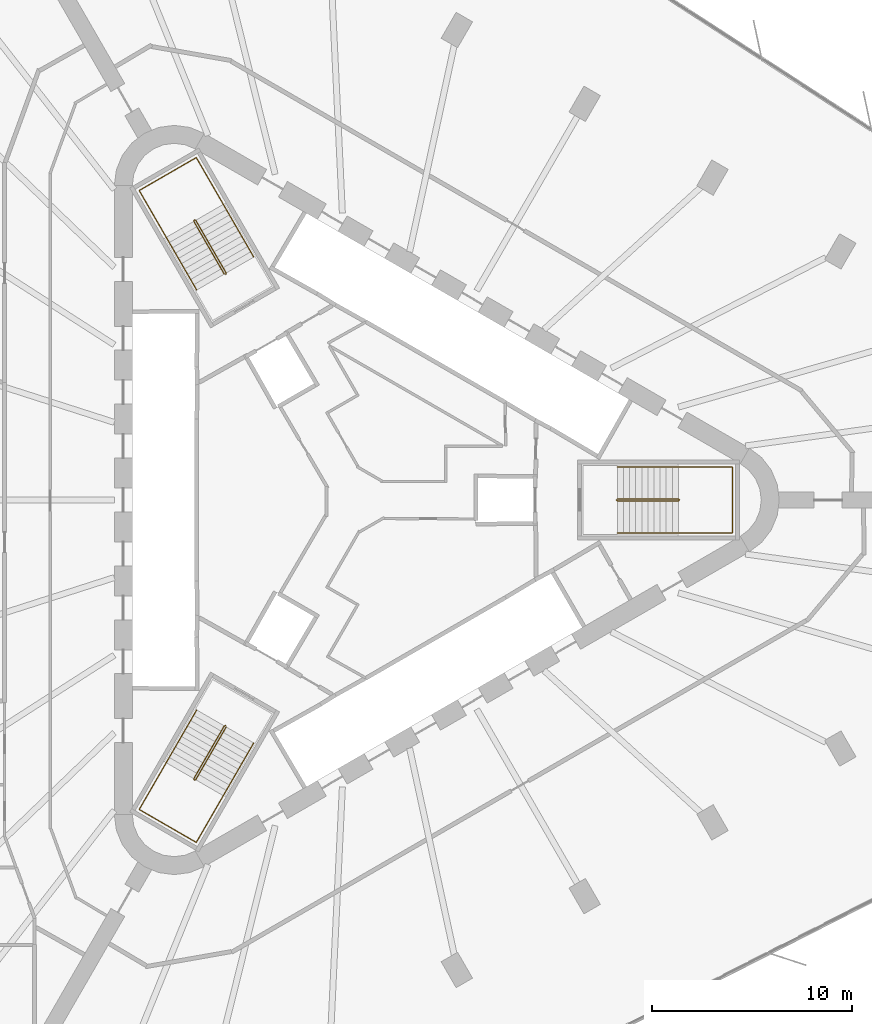
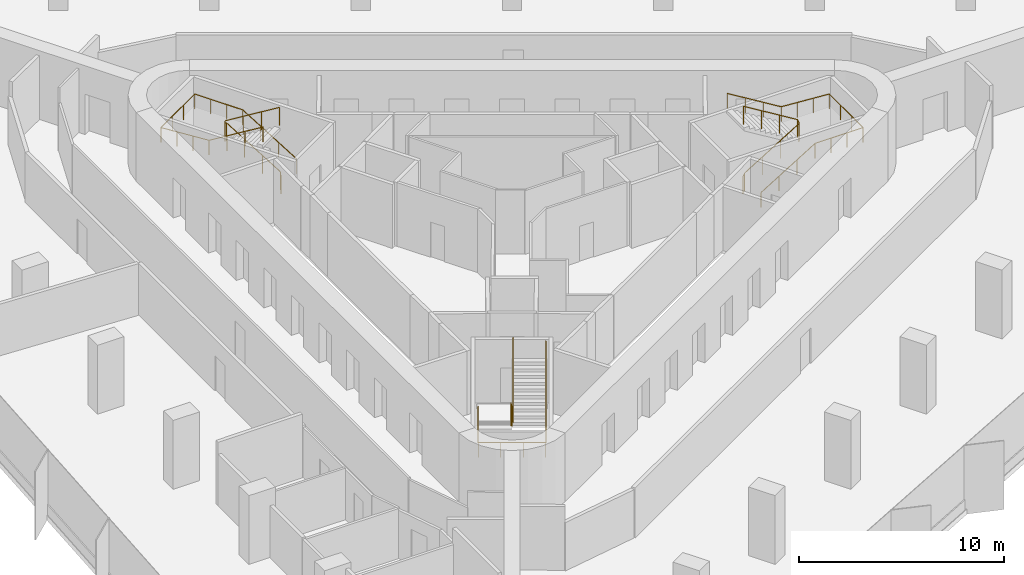
# One storey, part 14 of 14: 6 railings.
"""IFC4 building model written with IfcOpenShell, lengths in metres."""

from ifc_helpers import new_model, si_unit, direction, frame, origin, origin_2d, place, context, subcontext, project, spatial, circle, extrude, material, type_object, element, save


model = new_model("IFC4")

# Units and contexts
model_context = context("Model", 3, precision=1e-05, world=origin(), true_north=direction((0.0, 1.0)))
body_context = subcontext(model_context, "Body", "Model", "MODEL_VIEW")
ifc_project = project(units=[si_unit("LENGTHUNIT", "METRE"), si_unit("AREAUNIT", "SQUARE_METRE"), si_unit("VOLUMEUNIT", "CUBIC_METRE"), si_unit("PLANEANGLEUNIT", "RADIAN"), si_unit("MASSUNIT", "GRAM", prefix="KILO")], contexts=[model_context])

# Site, building, storey
site_placement = place(None, origin())
site = spatial("IfcSite", under=ifc_project, at=site_placement, CompositionType="ELEMENT")
building_placement = place(site_placement, origin())
building = spatial("IfcBuilding", under=site, at=building_placement, Name="Tanit Gate Tower", CompositionType="ELEMENT")
storey_placement = place(building_placement, frame((0.0, 0.0, 107.0)))
storey = spatial("IfcBuildingStorey", under=building, at=storey_placement, Name="L22", CompositionType="ELEMENT", Elevation=107.0)

# Railings
ifc_material_1 = material(Name="Stainless steel balustrade", Category="steel")
railing_type_1 = type_object("IfcRailingType", Name="INT-STAIR-GUARD", PredefinedType="GUARDRAIL", material=ifc_material_1)
railing_1_placement = place(storey_placement, frame((13.044921875, 0.0048828125, 0.0)))
element("IfcRailing", 1, at=railing_1_placement, inside=storey, type_object=railing_type_1, Name="L22 S1 stair guard 1", PredefinedType="GUARDRAIL", context=body_context, shape_type="SweptSolid", body=[
    extrude(circle(Radius=0.02392578125, at=origin_2d()), frame((0.0, 0.0, 1.076171875), z_axis=(0.0, -1.0, 0.0), x_axis=(1.0, 0.0, 0.0)), (0.0, 0.0, 1.0), 0.009765625),
    extrude(circle(Radius=0.02392578125, at=origin_2d()), frame((0.0, -0.009765625, 1.076171875), z_axis=(0.251157038772, -0.251157038772, 0.934794246747), x_axis=(0.707106781187, 0.707106781187, 0.0)), (0.0, 0.0, 1.0), 0.19921875),
    extrude(circle(Radius=0.02392578125, at=origin_2d()), frame((0.050048828125, -0.059814453125, 1.26220703125), z_axis=(0.853374658889, 0.0, 0.521298083217), x_axis=(0.0, 1.0, 0.0)), (0.0, 0.0, 1.0), 3.5751953125),
    extrude(circle(Radius=0.02392578125, at=origin_2d()), frame((3.10107421875, -0.059814453125, 3.1259765625), z_axis=(0.707106781187, 0.707106781187, 0.0), x_axis=(-0.707106781187, 0.707106781187, 0.0)), (0.0, 0.0, 1.0), 0.07080078125),
    extrude(circle(Radius=0.02392578125, at=origin_2d()), frame((3.151123046875, -0.009765625, 3.1259765625), z_axis=(0.0, 1.0, 0.0), x_axis=(-1.0, 0.0, 0.0)), (0.0, 0.0, 1.0), 0.009765625),
    extrude(circle(Radius=0.02392578125, at=origin_2d()), frame((3.151123046875, 0.0, 3.1259765625), z_axis=(-0.251157038772, 0.251157038772, 0.934794246747), x_axis=(-0.707106781187, -0.707106781187, 0.0)), (0.0, 0.0, 1.0), 0.19921875),
    extrude(circle(Radius=0.02392578125, at=origin_2d()), frame((3.10107421875, 0.050048828125, 3.3125), z_axis=(-0.853374658889, 0.0, 0.521298083217), x_axis=(0.0, -1.0, 0.0)), (0.0, 0.0, 1.0), 3.5751953125),
    extrude(circle(Radius=0.02099609375, at=origin_2d()), origin(), (0.0, 0.0, 1.0), 1.052001953125),
    extrude(circle(Radius=0.02099609375, at=origin_2d()), frame((0.0, -0.009765625, 0.0)), (0.0, 0.0, 1.0), 1.052001953125),
    extrude(circle(Radius=0.02099609375, at=origin_2d()), frame((0.050048828125, -0.059814453125, 0.186279296875)), (0.0, 0.0, 1.0), 1.052001953125),
    extrude(circle(Radius=0.02099609375, at=origin_2d()), frame((1.067138671875, -0.059814453125, 0.8076171875)), (0.0, 0.0, 1.0), 1.052001953125),
    extrude(circle(Radius=0.02099609375, at=origin_2d()), frame((2.083984375, -0.059814453125, 1.4287109375)), (0.0, 0.0, 1.0), 1.052001953125),
    extrude(circle(Radius=0.02099609375, at=origin_2d()), frame((3.10107421875, -0.059814453125, 2.050048828125)), (0.0, 0.0, 1.0), 1.052001953125),
    extrude(circle(Radius=0.02099609375, at=origin_2d()), frame((3.151123046875, -0.009765625, 2.050048828125)), (0.0, 0.0, 1.0), 1.052001953125),
    extrude(circle(Radius=0.02099609375, at=origin_2d()), frame((3.151123046875, 0.0, 2.050048828125)), (0.0, 0.0, 1.0), 1.052001953125),
    extrude(circle(Radius=0.02099609375, at=origin_2d()), frame((3.10107421875, 0.050048828125, 2.236328125)), (0.0, 0.0, 1.0), 1.052001953125),
    extrude(circle(Radius=0.02099609375, at=origin_2d()), frame((2.083984375, 0.050048828125, 2.857666015625)), (0.0, 0.0, 1.0), 1.052001953125),
    extrude(circle(Radius=0.02099609375, at=origin_2d()), frame((1.067138671875, 0.050048828125, 3.478759765625)), (0.0, 0.0, 1.0), 1.052001953125),
    extrude(circle(Radius=0.02099609375, at=origin_2d()), frame((0.050048828125, 0.050048828125, 4.10009765625)), (0.0, 0.0, 1.0), 1.052001953125),
])
railing_2_placement = place(storey_placement, frame((-6.527099609375, 11.29345703125, 0.0)))
element("IfcRailing", 2, at=railing_2_placement, inside=storey, type_object=railing_type_1, Name="L22 S2 stair guard 1", PredefinedType="GUARDRAIL", context=body_context, shape_type="SweptSolid", body=[
    extrude(circle(Radius=0.02392578125, at=origin_2d()), frame((0.0, 0.0, 1.076171875), z_axis=(0.868243142124, 0.496138938357, 0.0), x_axis=(-0.496138938357, 0.868243142124, 0.0)), (0.0, 0.0, 1.0), 0.01171875),
    extrude(circle(Radius=0.02392578125, at=origin_2d()), frame((0.01025390625, 0.005859375, 1.076171875), z_axis=(0.091888445584, 0.343050196848, 0.93481178641), x_axis=(-0.965948051503, 0.258736085224, 0.0)), (0.0, 0.0, 1.0), 0.19921875),
    extrude(circle(Radius=0.02392578125, at=origin_2d()), frame((0.028564453125, 0.07421875, 1.26220703125), z_axis=(-0.426636495959, 0.738911183393, 0.521528104107), x_axis=(-0.866012246495, -0.500022788402, 0.0)), (0.0, 0.0, 1.0), 3.57373046875),
    extrude(circle(Radius=0.02392578125, at=origin_2d()), frame((-1.49609375, 2.71484375, 3.1259765625), z_axis=(-0.965715946433, 0.259601060869, 0.0), x_axis=(-0.259601060869, -0.965715946433, 0.0)), (0.0, 0.0, 1.0), 0.070556640625),
    extrude(circle(Radius=0.02392578125, at=origin_2d()), frame((-1.564208984375, 2.733154296875, 3.1259765625), z_axis=(-0.873197702015, -0.487366159264, 0.0), x_axis=(0.487366159264, -0.873197702015, 0.0)), (0.0, 0.0, 1.0), 0.011962890625),
    extrude(circle(Radius=0.02392578125, at=origin_2d()), frame((-1.57470703125, 2.727294921875, 3.1259765625), z_axis=(-0.091888445584, -0.343050196848, 0.93481178641), x_axis=(0.965948051503, -0.258736085224, 0.0)), (0.0, 0.0, 1.0), 0.19921875),
    extrude(circle(Radius=0.02392578125, at=origin_2d()), frame((-1.593017578125, 2.658935546875, 3.3125), z_axis=(0.426636495959, -0.738911183393, 0.521528104107), x_axis=(0.866012246495, 0.500022788402, 0.0)), (0.0, 0.0, 1.0), 3.57373046875),
    extrude(circle(Radius=0.02099609375, at=origin_2d()), origin(), (0.0, 0.0, 1.0), 1.052001953125),
    extrude(circle(Radius=0.02099609375, at=origin_2d()), frame((0.01025390625, 0.005859375, 0.0)), (0.0, 0.0, 1.0), 1.052001953125),
    extrude(circle(Radius=0.02099609375, at=origin_2d()), frame((0.028564453125, 0.07421875, 0.186279296875)), (0.0, 0.0, 1.0), 1.052001953125),
    extrude(circle(Radius=0.02099609375, at=origin_2d()), frame((-0.479736328125, 0.954345703125, 0.8076171875)), (0.0, 0.0, 1.0), 1.052001953125),
    extrude(circle(Radius=0.02099609375, at=origin_2d()), frame((-0.98779296875, 1.834716796875, 1.4287109375)), (0.0, 0.0, 1.0), 1.052001953125),
    extrude(circle(Radius=0.02099609375, at=origin_2d()), frame((-1.49609375, 2.71484375, 2.050048828125)), (0.0, 0.0, 1.0), 1.052001953125),
    extrude(circle(Radius=0.02099609375, at=origin_2d()), frame((-1.564208984375, 2.733154296875, 2.050048828125)), (0.0, 0.0, 1.0), 1.052001953125),
    extrude(circle(Radius=0.02099609375, at=origin_2d()), frame((-1.57470703125, 2.727294921875, 2.050048828125)), (0.0, 0.0, 1.0), 1.052001953125),
    extrude(circle(Radius=0.02099609375, at=origin_2d()), frame((-1.593017578125, 2.658935546875, 2.236328125)), (0.0, 0.0, 1.0), 1.052001953125),
    extrude(circle(Radius=0.02099609375, at=origin_2d()), frame((-1.084716796875, 1.77880859375, 2.857666015625)), (0.0, 0.0, 1.0), 1.052001953125),
    extrude(circle(Radius=0.02099609375, at=origin_2d()), frame((-0.57666015625, 0.8984375, 3.478759765625)), (0.0, 0.0, 1.0), 1.052001953125),
    extrude(circle(Radius=0.02099609375, at=origin_2d()), frame((-0.068359375, 0.018310546875, 4.10009765625)), (0.0, 0.0, 1.0), 1.052001953125),
])
railing_3_placement = place(storey_placement, frame((-6.51806640625, -11.2998046875, 0.0)))
element("IfcRailing", 3, at=railing_3_placement, inside=storey, type_object=railing_type_1, Name="L22 S3 stair guard 1", PredefinedType="GUARDRAIL", context=body_context, shape_type="SweptSolid", body=[
    extrude(circle(Radius=0.02392578125, at=origin_2d()), frame((0.0, 0.0, 1.076171875), z_axis=(-0.874157276122, 0.485642931179, 0.0), x_axis=(-0.485642931179, -0.874157276122, 0.0)), (0.0, 0.0, 1.0), 0.010009765625),
    extrude(circle(Radius=0.02392578125, at=origin_2d()), frame((-0.0087890625, 0.0048828125, 1.076171875), z_axis=(-0.343088566343, -0.090673406819, 0.934916343285), x_axis=(0.255512919477, -0.966805641264, 0.0)), (0.0, 0.0, 1.0), 0.19921875),
    extrude(circle(Radius=0.02392578125, at=origin_2d()), frame((-0.0771484375, -0.01318359375, 1.26220703125), z_axis=(-0.42665336134, -0.739063593114, 0.52129829713), x_axis=(0.866048339477, -0.499960272111, 0.0)), (0.0, 0.0, 1.0), 3.5751953125),
    extrude(circle(Radius=0.02392578125, at=origin_2d()), frame((-1.6025390625, -2.655517578125, 3.1259765625), z_axis=(0.258736085224, -0.965948051503, 0.0), x_axis=(0.965948051503, 0.258736085224, 0.0)), (0.0, 0.0, 1.0), 0.07080078125),
    extrude(circle(Radius=0.02392578125, at=origin_2d()), frame((-1.584228515625, -2.723876953125, 3.1259765625), z_axis=(0.868243142124, -0.496138938357, 0.0), x_axis=(0.496138938357, 0.868243142124, 0.0)), (0.0, 0.0, 1.0), 0.009765625),
    extrude(circle(Radius=0.02392578125, at=origin_2d()), frame((-1.57568359375, -2.728759765625, 3.1259765625), z_axis=(0.343050196848, 0.091888445584, 0.93481178641), x_axis=(-0.258736085224, 0.965948051503, 0.0)), (0.0, 0.0, 1.0), 0.19921875),
    extrude(circle(Radius=0.02392578125, at=origin_2d()), frame((-1.50732421875, -2.71044921875, 3.3125), z_axis=(0.42673074944, 0.739011069041, 0.521309416102), x_axis=(-0.865993683553, 0.500054937028, 0.0)), (0.0, 0.0, 1.0), 3.5751953125),
    extrude(circle(Radius=0.02099609375, at=origin_2d()), origin(), (0.0, 0.0, 1.0), 1.052001953125),
    extrude(circle(Radius=0.02099609375, at=origin_2d()), frame((-0.0087890625, 0.0048828125, 0.0)), (0.0, 0.0, 1.0), 1.052001953125),
    extrude(circle(Radius=0.02099609375, at=origin_2d()), frame((-0.0771484375, -0.01318359375, 0.186279296875)), (0.0, 0.0, 1.0), 1.052001953125),
    extrude(circle(Radius=0.02099609375, at=origin_2d()), frame((-0.585693359375, -0.89404296875, 0.8076171875)), (0.0, 0.0, 1.0), 1.052001953125),
    extrude(circle(Radius=0.02099609375, at=origin_2d()), frame((-1.093994140625, -1.774658203125, 1.4287109375)), (0.0, 0.0, 1.0), 1.052001953125),
    extrude(circle(Radius=0.02099609375, at=origin_2d()), frame((-1.6025390625, -2.655517578125, 2.050048828125)), (0.0, 0.0, 1.0), 1.052001953125),
    extrude(circle(Radius=0.02099609375, at=origin_2d()), frame((-1.584228515625, -2.723876953125, 2.050048828125)), (0.0, 0.0, 1.0), 1.052001953125),
    extrude(circle(Radius=0.02099609375, at=origin_2d()), frame((-1.57568359375, -2.728759765625, 2.050048828125)), (0.0, 0.0, 1.0), 1.052001953125),
    extrude(circle(Radius=0.02099609375, at=origin_2d()), frame((-1.50732421875, -2.71044921875, 2.236328125)), (0.0, 0.0, 1.0), 1.052001953125),
    extrude(circle(Radius=0.02099609375, at=origin_2d()), frame((-0.998779296875, -1.829833984375, 2.857666015625)), (0.0, 0.0, 1.0), 1.052001953125),
    extrude(circle(Radius=0.02099609375, at=origin_2d()), frame((-0.490234375, -0.948974609375, 3.478759765625)), (0.0, 0.0, 1.0), 1.052001953125),
    extrude(circle(Radius=0.02099609375, at=origin_2d()), frame((0.018310546875, -0.068359375, 4.10009765625)), (0.0, 0.0, 1.0), 1.052001953125),
])
ifc_material_2 = material(Name="Stainless steel handrail", Category="steel")
railing_type_2 = type_object("IfcRailingType", Name="INT-STAIR-HANDRAIL", PredefinedType="HANDRAIL", material=ifc_material_2)
railing_4_placement = place(storey_placement, frame((13.094970703125, -1.64990234375, 0.186279296875)))
element("IfcRailing", 4, at=railing_4_placement, inside=storey, type_object=railing_type_2, Name="L22 S1 stair handrail 1", PredefinedType="HANDRAIL", context=body_context, shape_type="SweptSolid", body=[
    extrude(circle(Radius=0.02392578125, at=origin_2d()), frame((0.0, 0.0, 0.8759765625), z_axis=(0.853374658889, 0.0, 0.521298083217), x_axis=(0.0, 1.0, 0.0)), (0.0, 0.0, 1.0), 3.5751953125),
    extrude(circle(Radius=0.02392578125, at=origin_2d()), frame((3.051025390625, 0.0, 2.73974609375), z_axis=(1.0, 0.0, 0.0), x_axis=(0.0, 1.0, 0.0)), (0.0, 0.0, 1.0), 2.7041015625),
    extrude(circle(Radius=0.02392578125, at=origin_2d()), frame((5.755126953125, 0.0, 2.73974609375), z_axis=(0.0, 1.0, 0.0), x_axis=(-1.0, 0.0, 0.0)), (0.0, 0.0, 1.0), 3.2998046875),
    extrude(circle(Radius=0.02392578125, at=origin_2d()), frame((5.755126953125, 3.2998046875, 2.73974609375), z_axis=(-0.997635655124, 0.0, 0.06872481084), x_axis=(0.0, -1.0, 0.0)), (0.0, 0.0, 1.0), 2.71044921875),
    extrude(circle(Radius=0.02392578125, at=origin_2d()), frame((3.051025390625, 3.2998046875, 2.92578125), z_axis=(-0.853374658889, 0.0, 0.521298083217), x_axis=(0.0, -1.0, 0.0)), (0.0, 0.0, 1.0), 3.5751953125),
    extrude(circle(Radius=0.02099609375, at=origin_2d()), origin(), (0.0, 0.0, 1.0), 0.851806640625),
    extrude(circle(Radius=0.02099609375, at=origin_2d()), frame((1.01708984375, 0.0, 0.621337890625)), (0.0, 0.0, 1.0), 0.851806640625),
    extrude(circle(Radius=0.02099609375, at=origin_2d()), frame((2.033935546875, 0.0, 1.242431640625)), (0.0, 0.0, 1.0), 0.851806640625),
    extrude(circle(Radius=0.02099609375, at=origin_2d()), frame((3.051025390625, 0.0, 1.86376953125)), (0.0, 0.0, 1.0), 0.851806640625),
    extrude(circle(Radius=0.02099609375, at=origin_2d()), frame((3.952392578125, 0.0, 1.86376953125)), (0.0, 0.0, 1.0), 0.851806640625),
    extrude(circle(Radius=0.02099609375, at=origin_2d()), frame((4.853759765625, 0.0, 1.86376953125)), (0.0, 0.0, 1.0), 0.851806640625),
    extrude(circle(Radius=0.02099609375, at=origin_2d()), frame((5.755126953125, 0.0, 1.86376953125)), (0.0, 0.0, 1.0), 0.851806640625),
    extrude(circle(Radius=0.02099609375, at=origin_2d()), frame((5.755126953125, 1.099853515625, 1.86376953125)), (0.0, 0.0, 1.0), 0.851806640625),
    extrude(circle(Radius=0.02099609375, at=origin_2d()), frame((5.755126953125, 2.199951171875, 1.86376953125)), (0.0, 0.0, 1.0), 0.851806640625),
    extrude(circle(Radius=0.02099609375, at=origin_2d()), frame((5.755126953125, 3.2998046875, 1.86376953125)), (0.0, 0.0, 1.0), 0.851806640625),
    extrude(circle(Radius=0.02099609375, at=origin_2d()), frame((4.853759765625, 3.2998046875, 1.92578125)), (0.0, 0.0, 1.0), 0.851806640625),
    extrude(circle(Radius=0.02099609375, at=origin_2d()), frame((3.952392578125, 3.2998046875, 1.988037109375)), (0.0, 0.0, 1.0), 0.851806640625),
    extrude(circle(Radius=0.02099609375, at=origin_2d()), frame((3.051025390625, 3.2998046875, 2.050048828125)), (0.0, 0.0, 1.0), 0.851806640625),
    extrude(circle(Radius=0.02099609375, at=origin_2d()), frame((2.033935546875, 3.2998046875, 2.67138671875)), (0.0, 0.0, 1.0), 0.851806640625),
    extrude(circle(Radius=0.02099609375, at=origin_2d()), frame((1.01708984375, 3.2998046875, 3.29248046875)), (0.0, 0.0, 1.0), 0.851806640625),
    extrude(circle(Radius=0.02099609375, at=origin_2d()), frame((0.0, 3.2998046875, 3.913818359375)), (0.0, 0.0, 1.0), 0.851806640625),
])
railing_5_placement = place(storey_placement, frame((-5.1181640625, 12.164794921875, 0.186279296875)))
element("IfcRailing", 5, at=railing_5_placement, inside=storey, type_object=railing_type_2, Name="L22 S2 stair handrail 1", PredefinedType="HANDRAIL", context=body_context, shape_type="SweptSolid", body=[
    extrude(circle(Radius=0.02392578125, at=origin_2d()), frame((0.0, 0.0, 0.8759765625), z_axis=(-0.426580611902, 0.738932719144, 0.521543304174), x_axis=(-0.866046917185, -0.499962735845, 0.0)), (0.0, 0.0, 1.0), 3.573486328125),
    extrude(circle(Radius=0.02392578125, at=origin_2d()), frame((-1.5244140625, 2.640625, 2.73974609375), z_axis=(-0.500019123664, 0.86601436245, 0.0), x_axis=(-0.86601436245, -0.500019123664, 0.0)), (0.0, 0.0, 1.0), 2.70703125),
    extrude(circle(Radius=0.02392578125, at=origin_2d()), frame((-2.8779296875, 4.98486328125, 2.73974609375), z_axis=(-0.866008176907, -0.50002983664, 0.0), x_axis=(0.50002983664, -0.866008176907, 0.0)), (0.0, 0.0, 1.0), 3.300048828125),
    extrude(circle(Radius=0.02392578125, at=origin_2d()), frame((-5.73583984375, 3.334716796875, 2.73974609375), z_axis=(0.498878146149, -0.863948246966, 0.06865873476), x_axis=(0.865991810323, 0.500058181068, 0.0)), (0.0, 0.0, 1.0), 2.713134765625),
    extrude(circle(Radius=0.02392578125, at=origin_2d()), frame((-4.38232421875, 0.99072265625, 2.92578125), z_axis=(0.42661496006, -0.738942197433, 0.521501778238), x_axis=(0.866032263162, 0.499988119021, 0.0)), (0.0, 0.0, 1.0), 3.57373046875),
    extrude(circle(Radius=0.02099609375, at=origin_2d()), origin(), (0.0, 0.0, 1.0), 0.851806640625),
    extrude(circle(Radius=0.02099609375, at=origin_2d()), frame((-0.508056640625, 0.880126953125, 0.621337890625)), (0.0, 0.0, 1.0), 0.851806640625),
    extrude(circle(Radius=0.02099609375, at=origin_2d()), frame((-1.016357421875, 1.760498046875, 1.242431640625)), (0.0, 0.0, 1.0), 0.851806640625),
    extrude(circle(Radius=0.02099609375, at=origin_2d()), frame((-1.5244140625, 2.640625, 1.86376953125)), (0.0, 0.0, 1.0), 0.851806640625),
    extrude(circle(Radius=0.02099609375, at=origin_2d()), frame((-1.9755859375, 3.422119140625, 1.86376953125)), (0.0, 0.0, 1.0), 0.851806640625),
    extrude(circle(Radius=0.02099609375, at=origin_2d()), frame((-2.4267578125, 4.203369140625, 1.86376953125)), (0.0, 0.0, 1.0), 0.851806640625),
    extrude(circle(Radius=0.02099609375, at=origin_2d()), frame((-2.8779296875, 4.98486328125, 1.86376953125)), (0.0, 0.0, 1.0), 0.851806640625),
    extrude(circle(Radius=0.02099609375, at=origin_2d()), frame((-3.83056640625, 4.434814453125, 1.86376953125)), (0.0, 0.0, 1.0), 0.851806640625),
    extrude(circle(Radius=0.02099609375, at=origin_2d()), frame((-4.783203125, 3.884765625, 1.86376953125)), (0.0, 0.0, 1.0), 0.851806640625),
    extrude(circle(Radius=0.02099609375, at=origin_2d()), frame((-5.73583984375, 3.334716796875, 1.86376953125)), (0.0, 0.0, 1.0), 0.851806640625),
    extrude(circle(Radius=0.02099609375, at=origin_2d()), frame((-5.28466796875, 2.553466796875, 1.92578125)), (0.0, 0.0, 1.0), 0.851806640625),
    extrude(circle(Radius=0.02099609375, at=origin_2d()), frame((-4.83349609375, 1.77197265625, 1.988037109375)), (0.0, 0.0, 1.0), 0.851806640625),
    extrude(circle(Radius=0.02099609375, at=origin_2d()), frame((-4.38232421875, 0.99072265625, 2.050048828125)), (0.0, 0.0, 1.0), 0.851806640625),
    extrude(circle(Radius=0.02099609375, at=origin_2d()), frame((-3.8740234375, 0.1103515625, 2.67138671875)), (0.0, 0.0, 1.0), 0.851806640625),
    extrude(circle(Radius=0.02099609375, at=origin_2d()), frame((-3.365966796875, -0.769775390625, 3.29248046875)), (0.0, 0.0, 1.0), 0.851806640625),
    extrude(circle(Radius=0.02099609375, at=origin_2d()), frame((-2.857666015625, -1.650146484375, 3.913818359375)), (0.0, 0.0, 1.0), 0.851806640625),
])
railing_6_placement = place(storey_placement, frame((-7.9765625, -10.515625, 0.186279296875)))
element("IfcRailing", 6, at=railing_6_placement, inside=storey, type_object=railing_type_2, Name="L22 S3 stair handrail 1", PredefinedType="HANDRAIL", context=body_context, shape_type="SweptSolid", body=[
    extrude(circle(Radius=0.02392578125, at=origin_2d()), frame((0.0, 0.0, 0.8759765625), z_axis=(-0.42665336134, -0.739063593114, 0.52129829713), x_axis=(0.866048339477, -0.499960272111, 0.0)), (0.0, 0.0, 1.0), 3.5751953125),
    extrude(circle(Radius=0.02392578125, at=origin_2d()), frame((-1.525390625, -2.642333984375, 2.73974609375), z_axis=(-0.50004290449, -0.866000631449, 0.0), x_axis=(0.866000631449, -0.50004290449, 0.0)), (0.0, 0.0, 1.0), 2.703857421875),
    extrude(circle(Radius=0.02392578125, at=origin_2d()), frame((-2.87744140625, -4.98388671875, 2.73974609375), z_axis=(0.866008176907, -0.50002983664, 0.0), x_axis=(0.50002983664, 0.866008176907, 0.0)), (0.0, 0.0, 1.0), 3.300048828125),
    extrude(circle(Radius=0.02392578125, at=origin_2d()), frame((-0.01953125, -6.634033203125, 2.73974609375), z_axis=(0.498821607388, 0.86397559734, 0.068725331607), x_axis=(-0.866023205937, 0.500003806764, 0.0)), (0.0, 0.0, 1.0), 2.71044921875),
    extrude(circle(Radius=0.02392578125, at=origin_2d()), frame((1.33251953125, -4.292236328125, 2.92578125), z_axis=(0.42665336134, 0.739063593114, 0.52129829713), x_axis=(-0.866048339477, 0.499960272111, 0.0)), (0.0, 0.0, 1.0), 3.5751953125),
    extrude(circle(Radius=0.02099609375, at=origin_2d()), origin(), (0.0, 0.0, 1.0), 0.851806640625),
    extrude(circle(Radius=0.02099609375, at=origin_2d()), frame((-0.508544921875, -0.880859375, 0.621337890625)), (0.0, 0.0, 1.0), 0.851806640625),
    extrude(circle(Radius=0.02099609375, at=origin_2d()), frame((-1.016845703125, -1.761474609375, 1.242431640625)), (0.0, 0.0, 1.0), 0.851806640625),
    extrude(circle(Radius=0.02099609375, at=origin_2d()), frame((-1.525390625, -2.642333984375, 1.86376953125)), (0.0, 0.0, 1.0), 0.851806640625),
    extrude(circle(Radius=0.02099609375, at=origin_2d()), frame((-1.97607421875, -3.4228515625, 1.86376953125)), (0.0, 0.0, 1.0), 0.851806640625),
    extrude(circle(Radius=0.02099609375, at=origin_2d()), frame((-2.4267578125, -4.203369140625, 1.86376953125)), (0.0, 0.0, 1.0), 0.851806640625),
    extrude(circle(Radius=0.02099609375, at=origin_2d()), frame((-2.87744140625, -4.98388671875, 1.86376953125)), (0.0, 0.0, 1.0), 0.851806640625),
    extrude(circle(Radius=0.02099609375, at=origin_2d()), frame((-1.9248046875, -5.533935546875, 1.86376953125)), (0.0, 0.0, 1.0), 0.851806640625),
    extrude(circle(Radius=0.02099609375, at=origin_2d()), frame((-0.97216796875, -6.083984375, 1.86376953125)), (0.0, 0.0, 1.0), 0.851806640625),
    extrude(circle(Radius=0.02099609375, at=origin_2d()), frame((-0.01953125, -6.634033203125, 1.86376953125)), (0.0, 0.0, 1.0), 0.851806640625),
    extrude(circle(Radius=0.02099609375, at=origin_2d()), frame((0.43115234375, -5.853515625, 1.92578125)), (0.0, 0.0, 1.0), 0.851806640625),
    extrude(circle(Radius=0.02099609375, at=origin_2d()), frame((0.8818359375, -5.07275390625, 1.988037109375)), (0.0, 0.0, 1.0), 0.851806640625),
    extrude(circle(Radius=0.02099609375, at=origin_2d()), frame((1.33251953125, -4.292236328125, 2.050048828125)), (0.0, 0.0, 1.0), 0.851806640625),
    extrude(circle(Radius=0.02099609375, at=origin_2d()), frame((1.841064453125, -3.411376953125, 2.67138671875)), (0.0, 0.0, 1.0), 0.851806640625),
    extrude(circle(Radius=0.02099609375, at=origin_2d()), frame((2.349365234375, -2.53076171875, 3.29248046875)), (0.0, 0.0, 1.0), 0.851806640625),
    extrude(circle(Radius=0.02099609375, at=origin_2d()), frame((2.85791015625, -1.64990234375, 3.913818359375)), (0.0, 0.0, 1.0), 0.851806640625),
])

save(model, "model.ifc")
